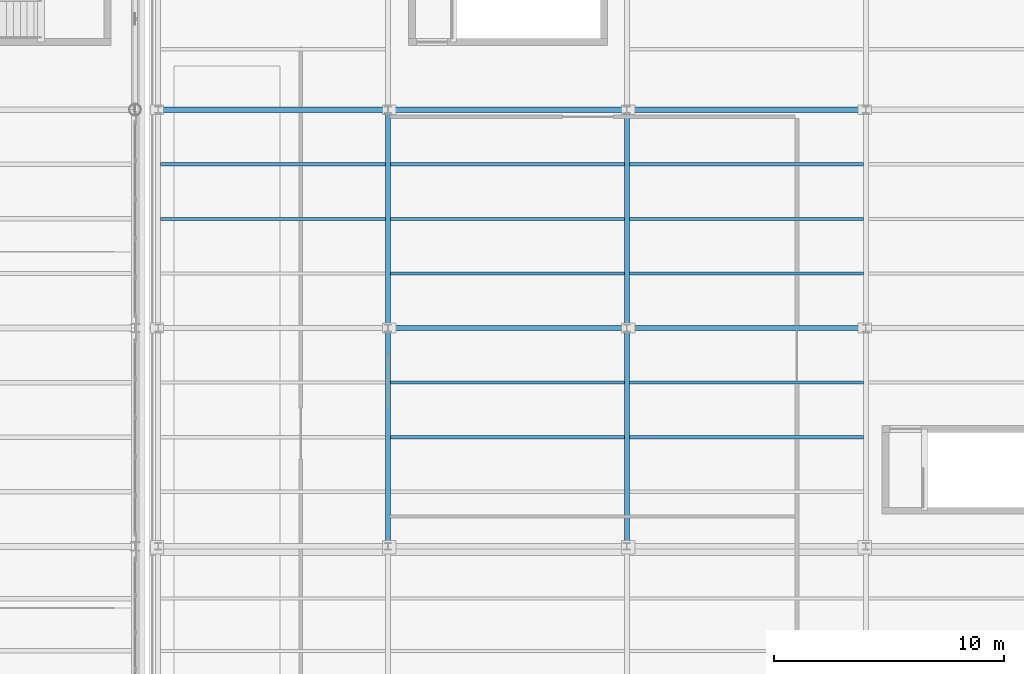
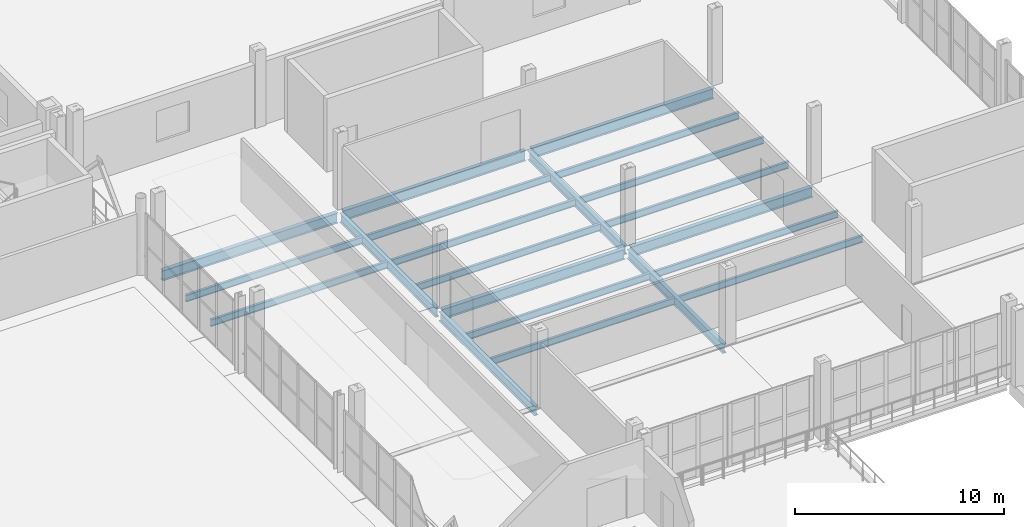
# One storey, part 93 of 156: 21 beams.
"""IFC4 building model written with IfcOpenShell, lengths in metres."""

from ifc_helpers import new_model, si_unit, direction, frame, origin, origin_2d, place, context, subcontext, project, spatial, i_section, extrude, material, material_profile, profile_set, type_object, element, save


model = new_model("IFC4")

# Units and contexts
model_context = context("Model", 3, precision=1e-05, world=origin(), true_north=direction((0.0, 1.0)))
body_context = subcontext(model_context, "Body", "Model", "MODEL_VIEW")
ifc_project = project(units=[si_unit("LENGTHUNIT", "METRE"), si_unit("AREAUNIT", "SQUARE_METRE"), si_unit("VOLUMEUNIT", "CUBIC_METRE"), si_unit("PLANEANGLEUNIT", "RADIAN"), si_unit("MASSUNIT", "GRAM", prefix="KILO")], contexts=[model_context])

# Site, building, storey
site_placement = place(None, origin())
site = spatial("IfcSite", under=ifc_project, at=site_placement, CompositionType="ELEMENT")
building_placement = place(site_placement, origin())
building = spatial("IfcBuilding", under=site, at=building_placement, Name="Caurita Quay Ferry Terminal", CompositionType="ELEMENT")
storey_placement = place(building_placement, frame((0.0, 0.0, 5.39990234375)))
storey = spatial("IfcBuildingStorey", under=building, at=storey_placement, Name="L01", CompositionType="ELEMENT", Elevation=5.39990234375)

# Beams
ifc_material = material(Name="Structural steel ASTM A992 Gr. 50", Category="steel")
ifc_material_profile_1 = material_profile(ifc_material, i_section(OverallWidth=0.210693359375, OverallDepth=0.53857421875, WebThickness=0.01171875, FlangeThickness=0.018798828125, FilletRadius=0.013916015625, at=origin_2d()), Name="W21X73")
ifc_profile_set_1 = profile_set([ifc_material_profile_1], Name="Structural steel ASTM A992 Gr. 50")
beam_type_1 = type_object("IfcBeamType", Name="BM-GR-W21A", PredefinedType="BEAM", material=ifc_profile_set_1)
for number, where, z_axis, x_axis, name in (
    (1, (142.800048828125, 43.8544921875, -0.504150390625), (0.0, 1.0, 0.0), (-1.0, 0.0, 0.0), "L01 Beam BM-V3H-L01-Y-1428-439"),
    (2, (142.800048828125, 53.3544921875, -0.504150390625), (0.0, 1.0, 0.0), (-1.0, 0.0, 0.0), "L01 Beam BM-V3H-L01-Y-1428-534"),
    (3, (153.199951171875, 43.8544921875, -0.504150390625), (0.0, 1.0, 0.0), (-1.0, 0.0, 0.0), "L01 Beam BM-V3H-L01-Y-1532-439"),
    (4, (153.199951171875, 53.3544921875, -0.504150390625), (0.0, 1.0, 0.0), (-1.0, 0.0, 0.0), "L01 Beam BM-V3H-L01-Y-1532-534"),
):
    element("IfcBeam", number, at=place(storey_placement, frame(where, z_axis=z_axis, x_axis=x_axis)), inside=storey, type_object=beam_type_1, Name=name, PredefinedType="BEAM", context=body_context, shape_type="SweptSolid", body=[
        extrude(i_section(OverallWidth=0.210693359375, OverallDepth=0.53857421875, WebThickness=0.01171875, FlangeThickness=0.018798828125, FilletRadius=0.013916015625, at=origin_2d()), origin(), (0.0, 0.0, 1.0), 9.191162109375),
    ])
ifc_material_profile_2 = material_profile(ifc_material, i_section(OverallWidth=0.22802734375, OverallDepth=0.60205078125, WebThickness=0.010498046875, FlangeThickness=0.014892578125, at=origin_2d()), Name="W24X68")
ifc_profile_set_2 = profile_set([ifc_material_profile_2], Name="Structural steel ASTM A992 Gr. 50")
beam_type_2 = type_object("IfcBeamType", Name="BM-GR-W24C", PredefinedType="BEAM", material=ifc_profile_set_2)
beam_1_placement = place(storey_placement, frame((142.95751953125, 53.199951171875, -0.535888671875), z_axis=(1.0, 0.0, 0.0), x_axis=(0.0, 1.0, 0.0)))
element("IfcBeam", 5, at=beam_1_placement, inside=storey, type_object=beam_type_2, Name="L01 Beam BM-V3H-L01-X-1430-532", PredefinedType="BEAM", context=body_context, shape_type="SweptSolid", body=[
    extrude(i_section(OverallWidth=0.22802734375, OverallDepth=0.60205078125, WebThickness=0.010498046875, FlangeThickness=0.014892578125, at=origin_2d()), origin(), (0.0, 0.0, 1.0), 10.0849609375),
])
beam_2_placement = place(storey_placement, frame((153.357666015625, 53.199951171875, -0.535888671875), z_axis=(1.0, 0.0, 0.0), x_axis=(0.0, 1.0, 0.0)))
element("IfcBeam", 6, at=beam_2_placement, inside=storey, type_object=beam_type_2, Name="L01 Beam BM-V3H-L01-X-1534-532", PredefinedType="BEAM", context=body_context, shape_type="SweptSolid", body=[
    extrude(i_section(OverallWidth=0.22802734375, OverallDepth=0.60205078125, WebThickness=0.010498046875, FlangeThickness=0.014892578125, at=origin_2d()), origin(), (0.0, 0.0, 1.0), 10.084716796875),
])
beam_3_placement = place(storey_placement, frame((132.95751953125, 62.699951171875, -0.535888671875), z_axis=(1.0, 0.0, 0.0), x_axis=(0.0, 1.0, 0.0)))
element("IfcBeam", 7, at=beam_3_placement, inside=storey, type_object=beam_type_2, Name="L01 Beam BM-V3H-L01-X-1330-627", PredefinedType="BEAM", context=body_context, shape_type="SweptSolid", body=[
    extrude(i_section(OverallWidth=0.22802734375, OverallDepth=0.60205078125, WebThickness=0.010498046875, FlangeThickness=0.014892578125, at=origin_2d()), origin(), (0.0, 0.0, 1.0), 9.684814453125),
])
beam_4_placement = place(storey_placement, frame((142.95751953125, 62.699951171875, -0.535888671875), z_axis=(1.0, 0.0, 0.0), x_axis=(0.0, 1.0, 0.0)))
element("IfcBeam", 8, at=beam_4_placement, inside=storey, type_object=beam_type_2, Name="L01 Beam BM-V3H-L01-X-1430-627", PredefinedType="BEAM", context=body_context, shape_type="SweptSolid", body=[
    extrude(i_section(OverallWidth=0.22802734375, OverallDepth=0.60205078125, WebThickness=0.010498046875, FlangeThickness=0.014892578125, at=origin_2d()), origin(), (0.0, 0.0, 1.0), 10.0849609375),
])
beam_5_placement = place(storey_placement, frame((153.357666015625, 62.699951171875, -0.535888671875), z_axis=(1.0, 0.0, 0.0), x_axis=(0.0, 1.0, 0.0)))
element("IfcBeam", 9, at=beam_5_placement, inside=storey, type_object=beam_type_2, Name="L01 Beam BM-V3H-L01-X-1534-627", PredefinedType="BEAM", context=body_context, shape_type="SweptSolid", body=[
    extrude(i_section(OverallWidth=0.22802734375, OverallDepth=0.60205078125, WebThickness=0.010498046875, FlangeThickness=0.014892578125, at=origin_2d()), origin(), (0.0, 0.0, 1.0), 10.084716796875),
])
ifc_material_profile_3 = material_profile(ifc_material, i_section(OverallWidth=0.139892578125, OverallDepth=0.39892578125, WebThickness=0.00634765625, FlangeThickness=0.0087890625, at=origin_2d()), Name="W16X26")
ifc_profile_set_3 = profile_set([ifc_material_profile_3], Name="Structural steel ASTM A992 Gr. 50")
beam_type_3 = type_object("IfcBeamType", Name="BM-JS-W16C", PredefinedType="JOIST", material=ifc_profile_set_3)
for number, where, z_axis, x_axis, name in (
    (10, (132.905517578125, 57.949951171875, -0.434326171875), (1.0, 0.0, 0.0), (0.0, 1.0, 0.0), "L01 Beam JS-V3H-L01-008"),
    (11, (132.905517578125, 60.324951171875, -0.434326171875), (1.0, 0.0, 0.0), (0.0, 1.0, 0.0), "L01 Beam JS-V3H-L01-009"),
):
    element("IfcBeam", number, at=place(storey_placement, frame(where, z_axis=z_axis, x_axis=x_axis)), inside=storey, type_object=beam_type_3, Name=name, PredefinedType="JOIST", context=body_context, shape_type="SweptSolid", body=[
        extrude(i_section(OverallWidth=0.139892578125, OverallDepth=0.39892578125, WebThickness=0.00634765625, FlangeThickness=0.0087890625, at=origin_2d()), origin(), (0.0, 0.0, 1.0), 9.7890625),
    ])
for number, where, z_axis, x_axis, name in (
    (12, (142.905517578125, 48.449951171875, -0.434326171875), (1.0, 0.0, 0.0), (0.0, 1.0, 0.0), "L01 Beam JS-V3H-L01-016"),
    (13, (142.905517578125, 50.824951171875, -0.434326171875), (1.0, 0.0, 0.0), (0.0, 1.0, 0.0), "L01 Beam JS-V3H-L01-017"),
    (14, (142.905517578125, 55.574951171875, -0.434326171875), (1.0, 0.0, 0.0), (0.0, 1.0, 0.0), "L01 Beam JS-V3H-L01-018"),
    (15, (142.905517578125, 57.949951171875, -0.434326171875), (1.0, 0.0, 0.0), (0.0, 1.0, 0.0), "L01 Beam JS-V3H-L01-019"),
    (16, (142.905517578125, 60.324951171875, -0.434326171875), (1.0, 0.0, 0.0), (0.0, 1.0, 0.0), "L01 Beam JS-V3H-L01-020"),
):
    element("IfcBeam", number, at=place(storey_placement, frame(where, z_axis=z_axis, x_axis=x_axis)), inside=storey, type_object=beam_type_3, Name=name, PredefinedType="JOIST", context=body_context, shape_type="SweptSolid", body=[
        extrude(i_section(OverallWidth=0.139892578125, OverallDepth=0.39892578125, WebThickness=0.00634765625, FlangeThickness=0.0087890625, at=origin_2d()), origin(), (0.0, 0.0, 1.0), 10.18896484375),
    ])
for number, where, z_axis, x_axis, name in (
    (17, (153.305419921875, 48.449951171875, -0.434326171875), (1.0, 0.0, 0.0), (0.0, 1.0, 0.0), "L01 Beam JS-V3H-L01-025"),
    (18, (153.305419921875, 50.824951171875, -0.434326171875), (1.0, 0.0, 0.0), (0.0, 1.0, 0.0), "L01 Beam JS-V3H-L01-026"),
    (19, (153.305419921875, 55.574951171875, -0.434326171875), (1.0, 0.0, 0.0), (0.0, 1.0, 0.0), "L01 Beam JS-V3H-L01-027"),
    (20, (153.305419921875, 57.949951171875, -0.434326171875), (1.0, 0.0, 0.0), (0.0, 1.0, 0.0), "L01 Beam JS-V3H-L01-028"),
    (21, (153.305419921875, 60.324951171875, -0.434326171875), (1.0, 0.0, 0.0), (0.0, 1.0, 0.0), "L01 Beam JS-V3H-L01-029"),
):
    element("IfcBeam", number, at=place(storey_placement, frame(where, z_axis=z_axis, x_axis=x_axis)), inside=storey, type_object=beam_type_3, Name=name, PredefinedType="JOIST", context=body_context, shape_type="SweptSolid", body=[
        extrude(i_section(OverallWidth=0.139892578125, OverallDepth=0.39892578125, WebThickness=0.00634765625, FlangeThickness=0.0087890625, at=origin_2d()), origin(), (0.0, 0.0, 1.0), 10.189208984375),
    ])

save(model, "model.ifc")
